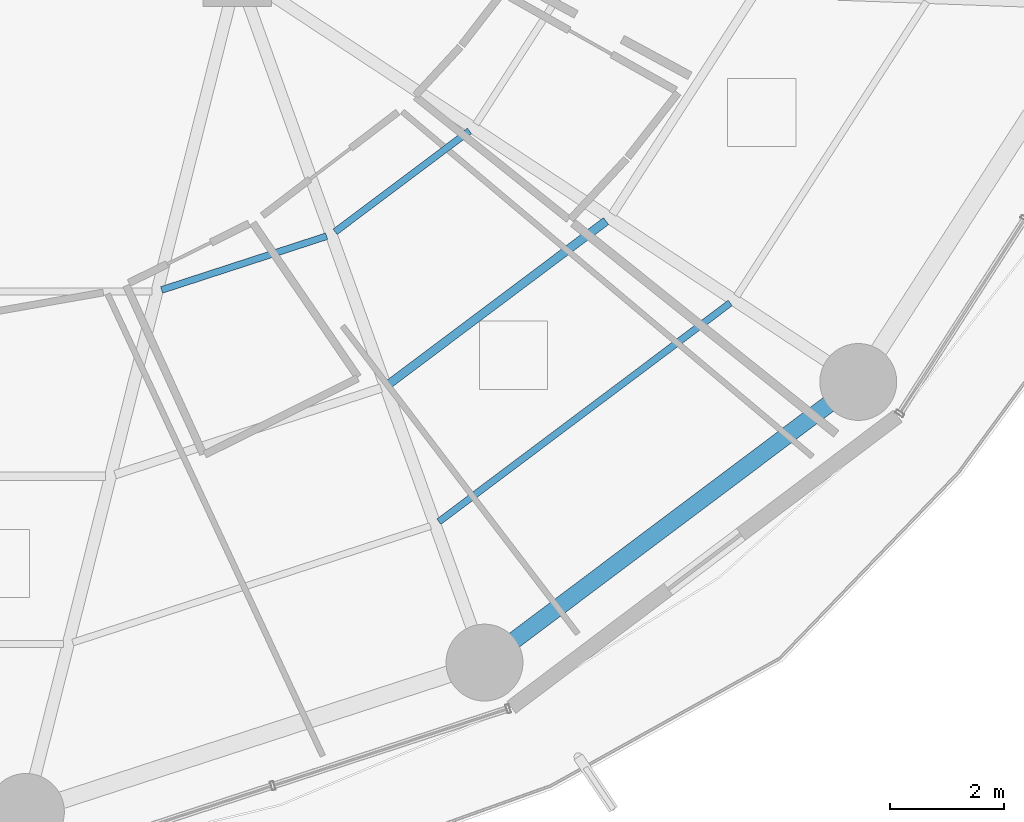
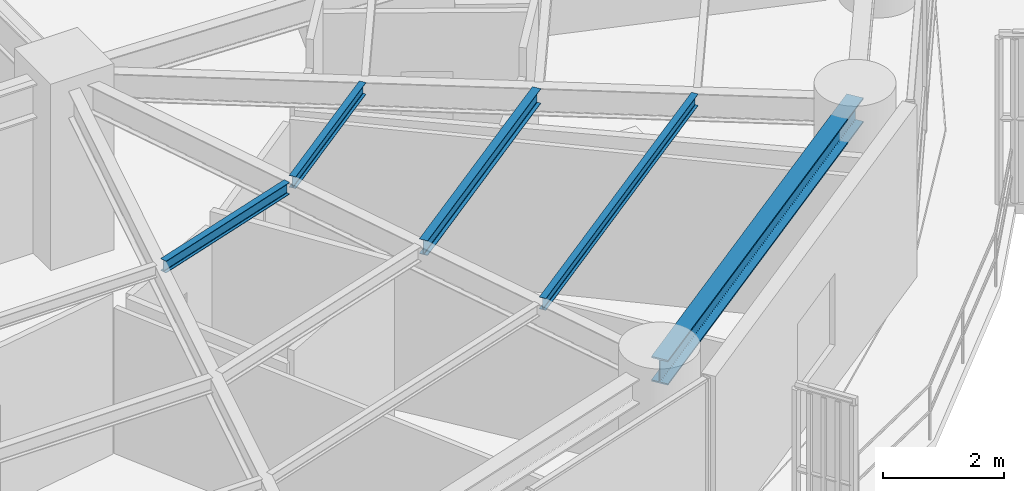
# One storey, part 11 of 36: 5 beams.
"""IFC4 building model written with IfcOpenShell, lengths in metres."""

from ifc_helpers import new_model, si_unit, direction, frame, origin, origin_2d, place, context, subcontext, project, spatial, i_section, extrude, material, material_profile, profile_set, type_object, element, save


model = new_model("IFC4")

# Units and contexts
model_context = context("Model", 3, precision=1e-05, world=origin(), true_north=direction((0.0, 1.0)))
body_context = subcontext(model_context, "Body", "Model", "MODEL_VIEW")
ifc_project = project(units=[si_unit("LENGTHUNIT", "METRE"), si_unit("AREAUNIT", "SQUARE_METRE"), si_unit("VOLUMEUNIT", "CUBIC_METRE"), si_unit("PLANEANGLEUNIT", "RADIAN"), si_unit("MASSUNIT", "GRAM", prefix="KILO")], contexts=[model_context])

# Site, building, storey
site_placement = place(None, origin())
site = spatial("IfcSite", under=ifc_project, at=site_placement, CompositionType="ELEMENT")
building_placement = place(site_placement, origin())
building = spatial("IfcBuilding", under=site, at=building_placement, Name="Kelanora Arch Commons", CompositionType="ELEMENT")
storey_placement = place(building_placement, frame((0.0, 0.0, 102.60009765625)))
storey = spatial("IfcBuildingStorey", under=building, at=storey_placement, Name="L26", CompositionType="ELEMENT", Elevation=102.60009765625)

# Beams
ifc_material = material(Name="Steel S355", Category="steel")
ifc_material_profile_1 = material_profile(ifc_material, i_section(OverallWidth=0.14990234375, OverallDepth=0.300048828125, WebThickness=0.007080078125, FlangeThickness=0.0107421875, FilletRadius=0.014892578125, at=origin_2d()), Name="IPE300")
ifc_profile_set_1 = profile_set([ifc_material_profile_1], Name="Steel S355")
beam_type_1 = type_object("IfcBeamType", Name="BM-JST-01", PredefinedType="JOIST", material=ifc_profile_set_1)
beam_1_placement = place(storey_placement, frame((84.672119140625, 43.77783203125, 3.33984375), z_axis=(0.79971039107, 0.600385951214, 0.0), x_axis=(-0.600385951214, 0.79971039107, 0.0)))
element("IfcBeam", 1, at=beam_1_placement, inside=storey, type_object=beam_type_1, Name="Secondary Chord Joist BJB-30 L26", PredefinedType="JOIST", context=body_context, shape_type="SweptSolid", body=[
    extrude(i_section(OverallWidth=0.14990234375, OverallDepth=0.300048828125, WebThickness=0.007080078125, FlangeThickness=0.0107421875, FilletRadius=0.014892578125, at=origin_2d()), origin(), (0.0, 0.0, 1.0), 4.756103515625),
])
ifc_material_profile_2 = material_profile(ifc_material, i_section(OverallWidth=0.1201171875, OverallDepth=0.239990234375, WebThickness=0.006103515625, FlangeThickness=0.009765625, FilletRadius=0.014892578125, at=origin_2d()), Name="IPE240")
ifc_profile_set_2 = profile_set([ifc_material_profile_2], Name="Steel S355")
beam_type_2 = type_object("IfcBeamType", Name="BM-JST-02", PredefinedType="JOIST", material=ifc_profile_set_2)
beam_2_placement = place(storey_placement, frame((80.66943359375, 45.42333984375, 3.369873046875), z_axis=(0.950846758946, 0.309661817151, 0.0), x_axis=(-0.309661817151, 0.950846758946, 0.0)))
element("IfcBeam", 2, at=beam_2_placement, inside=storey, type_object=beam_type_2, Name="Secondary Chord Joist BJA-28 L26", PredefinedType="JOIST", context=body_context, shape_type="SweptSolid", body=[
    extrude(i_section(OverallWidth=0.1201171875, OverallDepth=0.239990234375, WebThickness=0.006103515625, FlangeThickness=0.009765625, FilletRadius=0.014892578125, at=origin_2d()), origin(), (0.0, 0.0, 1.0), 3.048828125),
])
beam_3_placement = place(storey_placement, frame((83.71728515625, 46.444580078125, 3.369873046875), z_axis=(0.799692034361, 0.600410401458, 0.0), x_axis=(-0.600410401458, 0.799692034361, 0.0)))
element("IfcBeam", 3, at=beam_3_placement, inside=storey, type_object=beam_type_2, Name="Secondary Chord Joist BJA-30 L26", PredefinedType="JOIST", context=body_context, shape_type="SweptSolid", body=[
    extrude(i_section(OverallWidth=0.1201171875, OverallDepth=0.239990234375, WebThickness=0.006103515625, FlangeThickness=0.009765625, FilletRadius=0.014892578125, at=origin_2d()), origin(), (0.0, 0.0, 1.0), 2.949951171875),
])
beam_4_placement = place(storey_placement, frame((85.5400390625, 41.353515625, 3.369873046875), z_axis=(0.799734335646, 0.600354055861, 0.0), x_axis=(-0.600354055861, 0.799734335646, 0.0)))
element("IfcBeam", 4, at=beam_4_placement, inside=storey, type_object=beam_type_2, Name="Secondary Chord Joist BJC-30 L26", PredefinedType="JOIST", context=body_context, shape_type="SweptSolid", body=[
    extrude(i_section(OverallWidth=0.1201171875, OverallDepth=0.239990234375, WebThickness=0.006103515625, FlangeThickness=0.009765625, FilletRadius=0.014892578125, at=origin_2d()), origin(), (0.0, 0.0, 1.0), 6.39794921875),
])
ifc_material_profile_3 = material_profile(ifc_material, i_section(OverallWidth=0.300048828125, OverallDepth=0.5, WebThickness=0.014404296875, FlangeThickness=0.028076171875, FilletRadius=0.027099609375, at=origin_2d()), Name="HEB500")
ifc_profile_set_3 = profile_set([ifc_material_profile_3], Name="Steel S355")
beam_type_3 = type_object("IfcBeamType", Name="BM-SPN-Z2", PredefinedType="SPANDREL", material=ifc_profile_set_3)
beam_5_placement = place(storey_placement, frame((86.340087890625, 38.878173828125, 3.239990234375), z_axis=(0.799735861602, 0.600352023123, 0.0), x_axis=(-0.600352023123, 0.799735861602, 0.0)))
element("IfcBeam", 5, at=beam_5_placement, inside=storey, type_object=beam_type_3, Name="Perimeter Spandrel Beam BS-30 L26", PredefinedType="SPANDREL", context=body_context, shape_type="SweptSolid", body=[
    extrude(i_section(OverallWidth=0.300048828125, OverallDepth=0.5, WebThickness=0.014404296875, FlangeThickness=0.028076171875, FilletRadius=0.027099609375, at=origin_2d()), origin(), (0.0, 0.0, 1.0), 8.210205078125),
])

save(model, "model.ifc")
